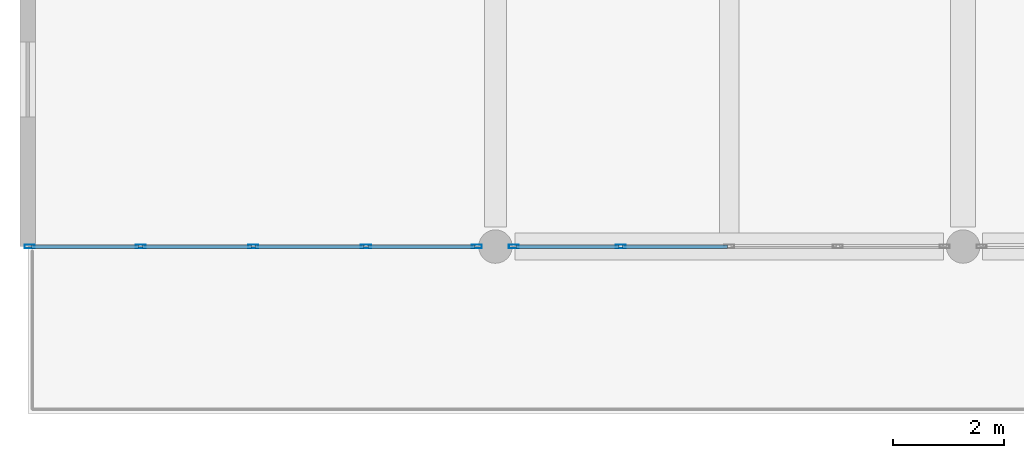
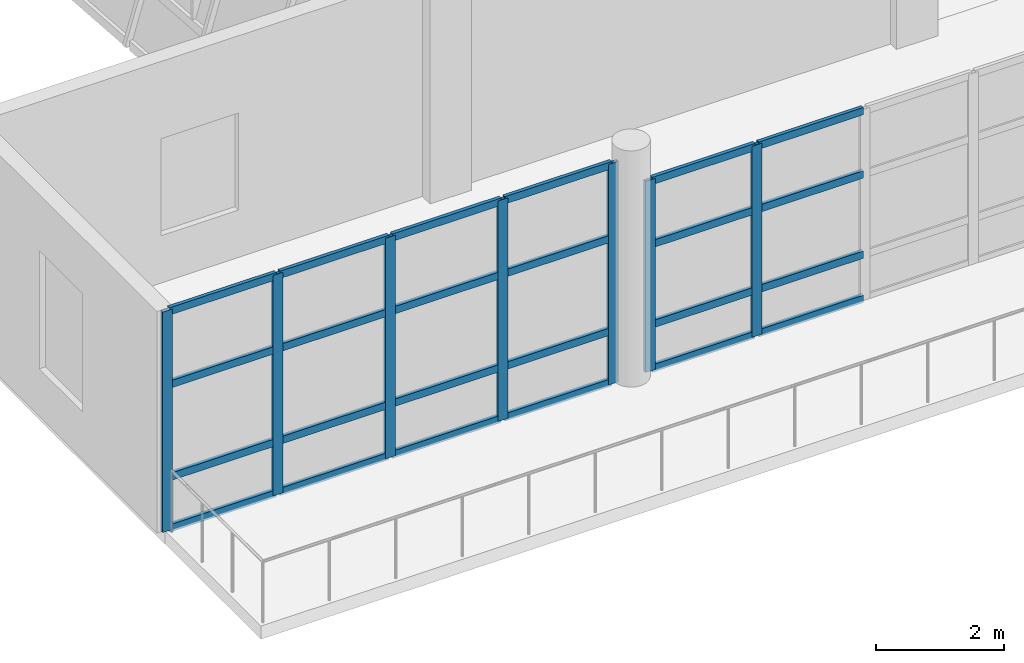
# One storey, part 2 of 71: 31 members, 2 elements without a shape of their own.
"""IFC4 building model written with IfcOpenShell, lengths in metres."""

from ifc_helpers import new_model, si_unit, direction, frame, origin, origin_2d, place, context, subcontext, project, spatial, hollow_rectangle, extrude, material, material_profile, profile_set, type_object, element, aggregate, save


model = new_model("IFC4")

# Units and contexts
model_context = context("Model", 3, precision=1e-05, world=origin(), true_north=direction((0.0, 1.0)))
body_context = subcontext(model_context, "Body", "Model", "MODEL_VIEW")
ifc_project = project(units=[si_unit("LENGTHUNIT", "METRE"), si_unit("AREAUNIT", "SQUARE_METRE"), si_unit("VOLUMEUNIT", "CUBIC_METRE"), si_unit("PLANEANGLEUNIT", "RADIAN"), si_unit("MASSUNIT", "GRAM", prefix="KILO")], contexts=[model_context])

# Site, building, storey
site_placement = place(None, origin())
site = spatial("IfcSite", under=ifc_project, at=site_placement, CompositionType="ELEMENT")
building_placement = place(site_placement, origin())
building = spatial("IfcBuilding", under=site, at=building_placement, Name="Pellamere Symphony Hall", CompositionType="ELEMENT")
storey_placement = place(building_placement, frame((0.0, 0.0, 15.0)))
storey = spatial("IfcBuildingStorey", under=building, at=storey_placement, Name="L03", CompositionType="ELEMENT", Elevation=15.0)

# Curtain wall, members
ifc_material_1 = material(Name="Thermally Broken Anodised Aluminium 6063-T6 Curtain Wall", Category="aluminium")
curtain_wall_type = type_object("IfcCurtainWallType", Name="Curtain Wall CW-02 (Winter-Garden South Concourse Curtain Wall)", PredefinedType="NOTDEFINED", material=ifc_material_1)
curtain_wall_1_placement = place(storey_placement, origin())
curtain_wall_1 = element("IfcCurtainWall", 1, at=curtain_wall_1_placement, inside=storey, type_object=curtain_wall_type, Name="Winter-Garden South Curtain Wall (L03 Bay 1)", PredefinedType="NOTDEFINED")
ifc_material_2 = material(Name="Anodised Architectural Aluminium 6063-T6", Category="aluminium")
ifc_material_profile_1 = material_profile(ifc_material_2, hollow_rectangle(XDim=0.06494140625, YDim=0.179931640625, WallThickness=0.00390625, at=origin_2d()), Name="ALU-M65X180X4")
ifc_profile_set_1 = profile_set([ifc_material_profile_1], Name="Anodised Architectural Aluminium 6063-T6")
member_type_1 = type_object("IfcMemberType", Name="Curtain Wall Mullion ML-02 ALU-M65X180X4", PredefinedType="MULLION", material=ifc_profile_set_1)
member_1_placement = place(storey_placement, frame((42.032470703125, 24.0, 0.0), z_axis=(0.0, 0.0, 1.0), x_axis=(0.0, 1.0, 0.0)))
member_1 = element("IfcMember", 2, at=member_1_placement, type_object=member_type_1, Name="CW2-086 crystal mullion 1", PredefinedType="MULLION", context=body_context, shape_type="SweptSolid", body=[
    extrude(hollow_rectangle(XDim=0.06494140625, YDim=0.179931640625, WallThickness=0.00390625, at=origin_2d()), origin(), (0.0, 0.0, 1.0), 4.199951171875),
])
member_2_placement = place(storey_placement, frame((44.02490234375, 24.0, 0.0), z_axis=(0.0, 0.0, 1.0), x_axis=(0.0, 1.0, 0.0)))
member_2 = element("IfcMember", 3, at=member_2_placement, type_object=member_type_1, Name="CW2-086 crystal mullion 2", PredefinedType="MULLION", context=body_context, shape_type="SweptSolid", body=[
    extrude(hollow_rectangle(XDim=0.06494140625, YDim=0.179931640625, WallThickness=0.00390625, at=origin_2d()), origin(), (0.0, 0.0, 1.0), 4.199951171875),
])
member_3_placement = place(storey_placement, frame((46.050048828125, 24.0, 0.0), z_axis=(0.0, 0.0, 1.0), x_axis=(0.0, 1.0, 0.0)))
member_3 = element("IfcMember", 4, at=member_3_placement, type_object=member_type_1, Name="CW2-086 crystal mullion 3", PredefinedType="MULLION", context=body_context, shape_type="SweptSolid", body=[
    extrude(hollow_rectangle(XDim=0.06494140625, YDim=0.179931640625, WallThickness=0.00390625, at=origin_2d()), origin(), (0.0, 0.0, 1.0), 4.199951171875),
])
member_4_placement = place(storey_placement, frame((48.074951171875, 24.0, 0.0), z_axis=(0.0, 0.0, 1.0), x_axis=(0.0, 1.0, 0.0)))
member_4 = element("IfcMember", 5, at=member_4_placement, type_object=member_type_1, Name="CW2-086 crystal mullion 4", PredefinedType="MULLION", context=body_context, shape_type="SweptSolid", body=[
    extrude(hollow_rectangle(XDim=0.06494140625, YDim=0.179931640625, WallThickness=0.00390625, at=origin_2d()), origin(), (0.0, 0.0, 1.0), 4.199951171875),
])
member_5_placement = place(storey_placement, frame((50.0673828125, 24.0, 0.0), z_axis=(0.0, 0.0, 1.0), x_axis=(0.0, 1.0, 0.0)))
member_5 = element("IfcMember", 6, at=member_5_placement, type_object=member_type_1, Name="CW2-086 crystal mullion 5", PredefinedType="MULLION", context=body_context, shape_type="SweptSolid", body=[
    extrude(hollow_rectangle(XDim=0.06494140625, YDim=0.179931640625, WallThickness=0.00390625, at=origin_2d()), origin(), (0.0, 0.0, 1.0), 4.199951171875),
])

curtain_wall_2_placement = place(storey_placement, origin())
curtain_wall_2 = element("IfcCurtainWall", 7, at=curtain_wall_2_placement, inside=storey, type_object=curtain_wall_type, Name="Winter-Garden South Curtain Wall (L03 Bay 2)", PredefinedType="NOTDEFINED")
member_6_placement = place(storey_placement, frame((50.732421875, 24.0, 0.0), z_axis=(0.0, 0.0, 1.0), x_axis=(0.0, 1.0, 0.0)))
member_6 = element("IfcMember", 8, at=member_6_placement, type_object=member_type_1, Name="CW2-087 crystal mullion 1", PredefinedType="MULLION", context=body_context, shape_type="SweptSolid", body=[
    extrude(hollow_rectangle(XDim=0.06494140625, YDim=0.179931640625, WallThickness=0.00390625, at=origin_2d()), origin(), (0.0, 0.0, 1.0), 3.639892578125),
])
member_7_placement = place(storey_placement, frame((52.64990234375, 24.0, 0.0), z_axis=(0.0, 0.0, 1.0), x_axis=(0.0, 1.0, 0.0)))
member_7 = element("IfcMember", 9, at=member_7_placement, type_object=member_type_1, Name="CW2-087 crystal mullion 2", PredefinedType="MULLION", context=body_context, shape_type="SweptSolid", body=[
    extrude(hollow_rectangle(XDim=0.06494140625, YDim=0.179931640625, WallThickness=0.00390625, at=origin_2d()), origin(), (0.0, 0.0, 1.0), 3.639892578125),
])

# Member
ifc_material_profile_2 = material_profile(ifc_material_2, hollow_rectangle(XDim=0.06494140625, YDim=0.139892578125, WallThickness=0.00390625, at=origin_2d()), Name="ALU-T65X140X4")
ifc_profile_set_2 = profile_set([ifc_material_profile_2], Name="Anodised Architectural Aluminium 6063-T6")
member_type_2 = type_object("IfcMemberType", Name="Curtain Wall Transom TR-02 ALU-T65X140X4", PredefinedType="USERDEFINED", material=ifc_profile_set_2)
member_8_placement = place(storey_placement, frame((42.06494140625, 24.0, 0.032470703125), z_axis=(1.0, 0.0, 0.0), x_axis=(0.0, 1.0, 0.0)))
member_8 = element("IfcMember", 10, at=member_8_placement, type_object=member_type_2, Name="CW2-086 crystal transom 1.1", ObjectType="TRANSOM", PredefinedType="USERDEFINED", context=body_context, shape_type="SweptSolid", body=[
    extrude(hollow_rectangle(XDim=0.06494140625, YDim=0.139892578125, WallThickness=0.00390625, at=origin_2d()), origin(), (0.0, 0.0, 1.0), 1.927490234375),
])

member_9_placement = place(storey_placement, frame((42.06494140625, 24.0, 1.008056640625), z_axis=(1.0, 0.0, 0.0), x_axis=(0.0, 1.0, 0.0)))
member_9 = element("IfcMember", 11, at=member_9_placement, type_object=member_type_2, Name="CW2-086 crystal transom 1.2", ObjectType="TRANSOM", PredefinedType="USERDEFINED", context=body_context, shape_type="SweptSolid", body=[
    extrude(hollow_rectangle(XDim=0.06494140625, YDim=0.139892578125, WallThickness=0.00390625, at=origin_2d()), origin(), (0.0, 0.0, 1.0), 1.927490234375),
])

member_10_placement = place(storey_placement, frame((42.06494140625, 24.0, 2.77197265625), z_axis=(1.0, 0.0, 0.0), x_axis=(0.0, 1.0, 0.0)))
member_10 = element("IfcMember", 12, at=member_10_placement, type_object=member_type_2, Name="CW2-086 crystal transom 1.3", ObjectType="TRANSOM", PredefinedType="USERDEFINED", context=body_context, shape_type="SweptSolid", body=[
    extrude(hollow_rectangle(XDim=0.06494140625, YDim=0.139892578125, WallThickness=0.00390625, at=origin_2d()), origin(), (0.0, 0.0, 1.0), 1.927490234375),
])

member_11_placement = place(storey_placement, frame((42.06494140625, 24.0, 4.16748046875), z_axis=(1.0, 0.0, 0.0), x_axis=(0.0, 1.0, 0.0)))
member_11 = element("IfcMember", 13, at=member_11_placement, type_object=member_type_2, Name="CW2-086 crystal transom 1.4", ObjectType="TRANSOM", PredefinedType="USERDEFINED", context=body_context, shape_type="SweptSolid", body=[
    extrude(hollow_rectangle(XDim=0.06494140625, YDim=0.139892578125, WallThickness=0.00390625, at=origin_2d()), origin(), (0.0, 0.0, 1.0), 1.927490234375),
])

member_12_placement = place(storey_placement, frame((44.0576171875, 24.0, 0.032470703125), z_axis=(1.0, 0.0, 0.0), x_axis=(0.0, 1.0, 0.0)))
member_12 = element("IfcMember", 14, at=member_12_placement, type_object=member_type_2, Name="CW2-086 crystal transom 2.1", ObjectType="TRANSOM", PredefinedType="USERDEFINED", context=body_context, shape_type="SweptSolid", body=[
    extrude(hollow_rectangle(XDim=0.06494140625, YDim=0.139892578125, WallThickness=0.00390625, at=origin_2d()), origin(), (0.0, 0.0, 1.0), 1.9599609375),
])

member_13_placement = place(storey_placement, frame((44.0576171875, 24.0, 1.008056640625), z_axis=(1.0, 0.0, 0.0), x_axis=(0.0, 1.0, 0.0)))
member_13 = element("IfcMember", 15, at=member_13_placement, type_object=member_type_2, Name="CW2-086 crystal transom 2.2", ObjectType="TRANSOM", PredefinedType="USERDEFINED", context=body_context, shape_type="SweptSolid", body=[
    extrude(hollow_rectangle(XDim=0.06494140625, YDim=0.139892578125, WallThickness=0.00390625, at=origin_2d()), origin(), (0.0, 0.0, 1.0), 1.9599609375),
])

member_14_placement = place(storey_placement, frame((44.0576171875, 24.0, 2.77197265625), z_axis=(1.0, 0.0, 0.0), x_axis=(0.0, 1.0, 0.0)))
member_14 = element("IfcMember", 16, at=member_14_placement, type_object=member_type_2, Name="CW2-086 crystal transom 2.3", ObjectType="TRANSOM", PredefinedType="USERDEFINED", context=body_context, shape_type="SweptSolid", body=[
    extrude(hollow_rectangle(XDim=0.06494140625, YDim=0.139892578125, WallThickness=0.00390625, at=origin_2d()), origin(), (0.0, 0.0, 1.0), 1.9599609375),
])

member_15_placement = place(storey_placement, frame((44.0576171875, 24.0, 4.16748046875), z_axis=(1.0, 0.0, 0.0), x_axis=(0.0, 1.0, 0.0)))
member_15 = element("IfcMember", 17, at=member_15_placement, type_object=member_type_2, Name="CW2-086 crystal transom 2.4", ObjectType="TRANSOM", PredefinedType="USERDEFINED", context=body_context, shape_type="SweptSolid", body=[
    extrude(hollow_rectangle(XDim=0.06494140625, YDim=0.139892578125, WallThickness=0.00390625, at=origin_2d()), origin(), (0.0, 0.0, 1.0), 1.9599609375),
])

member_16_placement = place(storey_placement, frame((46.08251953125, 24.0, 0.032470703125), z_axis=(1.0, 0.0, 0.0), x_axis=(0.0, 1.0, 0.0)))
member_16 = element("IfcMember", 18, at=member_16_placement, type_object=member_type_2, Name="CW2-086 crystal transom 3.1", ObjectType="TRANSOM", PredefinedType="USERDEFINED", context=body_context, shape_type="SweptSolid", body=[
    extrude(hollow_rectangle(XDim=0.06494140625, YDim=0.139892578125, WallThickness=0.00390625, at=origin_2d()), origin(), (0.0, 0.0, 1.0), 1.9599609375),
])

member_17_placement = place(storey_placement, frame((46.08251953125, 24.0, 1.008056640625), z_axis=(1.0, 0.0, 0.0), x_axis=(0.0, 1.0, 0.0)))
member_17 = element("IfcMember", 19, at=member_17_placement, type_object=member_type_2, Name="CW2-086 crystal transom 3.2", ObjectType="TRANSOM", PredefinedType="USERDEFINED", context=body_context, shape_type="SweptSolid", body=[
    extrude(hollow_rectangle(XDim=0.06494140625, YDim=0.139892578125, WallThickness=0.00390625, at=origin_2d()), origin(), (0.0, 0.0, 1.0), 1.9599609375),
])

member_18_placement = place(storey_placement, frame((46.08251953125, 24.0, 2.77197265625), z_axis=(1.0, 0.0, 0.0), x_axis=(0.0, 1.0, 0.0)))
member_18 = element("IfcMember", 20, at=member_18_placement, type_object=member_type_2, Name="CW2-086 crystal transom 3.3", ObjectType="TRANSOM", PredefinedType="USERDEFINED", context=body_context, shape_type="SweptSolid", body=[
    extrude(hollow_rectangle(XDim=0.06494140625, YDim=0.139892578125, WallThickness=0.00390625, at=origin_2d()), origin(), (0.0, 0.0, 1.0), 1.9599609375),
])

member_19_placement = place(storey_placement, frame((46.08251953125, 24.0, 4.16748046875), z_axis=(1.0, 0.0, 0.0), x_axis=(0.0, 1.0, 0.0)))
member_19 = element("IfcMember", 21, at=member_19_placement, type_object=member_type_2, Name="CW2-086 crystal transom 3.4", ObjectType="TRANSOM", PredefinedType="USERDEFINED", context=body_context, shape_type="SweptSolid", body=[
    extrude(hollow_rectangle(XDim=0.06494140625, YDim=0.139892578125, WallThickness=0.00390625, at=origin_2d()), origin(), (0.0, 0.0, 1.0), 1.9599609375),
])

member_20_placement = place(storey_placement, frame((48.107421875, 24.0, 0.032470703125), z_axis=(1.0, 0.0, 0.0), x_axis=(0.0, 1.0, 0.0)))
member_20 = element("IfcMember", 22, at=member_20_placement, type_object=member_type_2, Name="CW2-086 crystal transom 4.1", ObjectType="TRANSOM", PredefinedType="USERDEFINED", context=body_context, shape_type="SweptSolid", body=[
    extrude(hollow_rectangle(XDim=0.06494140625, YDim=0.139892578125, WallThickness=0.00390625, at=origin_2d()), origin(), (0.0, 0.0, 1.0), 1.927490234375),
])

member_21_placement = place(storey_placement, frame((48.107421875, 24.0, 1.008056640625), z_axis=(1.0, 0.0, 0.0), x_axis=(0.0, 1.0, 0.0)))
member_21 = element("IfcMember", 23, at=member_21_placement, type_object=member_type_2, Name="CW2-086 crystal transom 4.2", ObjectType="TRANSOM", PredefinedType="USERDEFINED", context=body_context, shape_type="SweptSolid", body=[
    extrude(hollow_rectangle(XDim=0.06494140625, YDim=0.139892578125, WallThickness=0.00390625, at=origin_2d()), origin(), (0.0, 0.0, 1.0), 1.927490234375),
])

member_22_placement = place(storey_placement, frame((48.107421875, 24.0, 2.77197265625), z_axis=(1.0, 0.0, 0.0), x_axis=(0.0, 1.0, 0.0)))
member_22 = element("IfcMember", 24, at=member_22_placement, type_object=member_type_2, Name="CW2-086 crystal transom 4.3", ObjectType="TRANSOM", PredefinedType="USERDEFINED", context=body_context, shape_type="SweptSolid", body=[
    extrude(hollow_rectangle(XDim=0.06494140625, YDim=0.139892578125, WallThickness=0.00390625, at=origin_2d()), origin(), (0.0, 0.0, 1.0), 1.927490234375),
])

member_23_placement = place(storey_placement, frame((48.107421875, 24.0, 4.16748046875), z_axis=(1.0, 0.0, 0.0), x_axis=(0.0, 1.0, 0.0)))
member_23 = element("IfcMember", 25, at=member_23_placement, type_object=member_type_2, Name="CW2-086 crystal transom 4.4", ObjectType="TRANSOM", PredefinedType="USERDEFINED", context=body_context, shape_type="SweptSolid", body=[
    extrude(hollow_rectangle(XDim=0.06494140625, YDim=0.139892578125, WallThickness=0.00390625, at=origin_2d()), origin(), (0.0, 0.0, 1.0), 1.927490234375),
])

aggregate(curtain_wall_1, [member_1, member_2, member_3, member_4, member_5, member_8, member_9, member_10, member_11, member_12, member_13, member_14, member_15, member_16, member_17, member_18, member_19, member_20, member_21, member_22, member_23])

member_24_placement = place(storey_placement, frame((50.764892578125, 24.0, 0.032470703125), z_axis=(1.0, 0.0, 0.0), x_axis=(0.0, 1.0, 0.0)))
member_24 = element("IfcMember", 26, at=member_24_placement, type_object=member_type_2, Name="CW2-087 crystal transom 1.1", ObjectType="TRANSOM", PredefinedType="USERDEFINED", context=body_context, shape_type="SweptSolid", body=[
    extrude(hollow_rectangle(XDim=0.06494140625, YDim=0.139892578125, WallThickness=0.00390625, at=origin_2d()), origin(), (0.0, 0.0, 1.0), 1.8525390625),
])

member_25_placement = place(storey_placement, frame((50.764892578125, 24.0, 0.87353515625), z_axis=(1.0, 0.0, 0.0), x_axis=(0.0, 1.0, 0.0)))
member_25 = element("IfcMember", 27, at=member_25_placement, type_object=member_type_2, Name="CW2-087 crystal transom 1.2", ObjectType="TRANSOM", PredefinedType="USERDEFINED", context=body_context, shape_type="SweptSolid", body=[
    extrude(hollow_rectangle(XDim=0.06494140625, YDim=0.139892578125, WallThickness=0.00390625, at=origin_2d()), origin(), (0.0, 0.0, 1.0), 1.8525390625),
])

member_26_placement = place(storey_placement, frame((50.764892578125, 24.0, 2.40234375), z_axis=(1.0, 0.0, 0.0), x_axis=(0.0, 1.0, 0.0)))
member_26 = element("IfcMember", 28, at=member_26_placement, type_object=member_type_2, Name="CW2-087 crystal transom 1.3", ObjectType="TRANSOM", PredefinedType="USERDEFINED", context=body_context, shape_type="SweptSolid", body=[
    extrude(hollow_rectangle(XDim=0.06494140625, YDim=0.139892578125, WallThickness=0.00390625, at=origin_2d()), origin(), (0.0, 0.0, 1.0), 1.8525390625),
])

member_27_placement = place(storey_placement, frame((50.764892578125, 24.0, 3.607421875), z_axis=(1.0, 0.0, 0.0), x_axis=(0.0, 1.0, 0.0)))
member_27 = element("IfcMember", 29, at=member_27_placement, type_object=member_type_2, Name="CW2-087 crystal transom 1.4", ObjectType="TRANSOM", PredefinedType="USERDEFINED", context=body_context, shape_type="SweptSolid", body=[
    extrude(hollow_rectangle(XDim=0.06494140625, YDim=0.139892578125, WallThickness=0.00390625, at=origin_2d()), origin(), (0.0, 0.0, 1.0), 1.8525390625),
])

member_28_placement = place(storey_placement, frame((52.6826171875, 24.0, 0.032470703125), z_axis=(1.0, 0.0, 0.0), x_axis=(0.0, 1.0, 0.0)))
member_28 = element("IfcMember", 30, at=member_28_placement, type_object=member_type_2, Name="CW2-087 crystal transom 2.1", ObjectType="TRANSOM", PredefinedType="USERDEFINED", context=body_context, shape_type="SweptSolid", body=[
    extrude(hollow_rectangle(XDim=0.06494140625, YDim=0.139892578125, WallThickness=0.00390625, at=origin_2d()), origin(), (0.0, 0.0, 1.0), 1.884765625),
])

member_29_placement = place(storey_placement, frame((52.6826171875, 24.0, 0.87353515625), z_axis=(1.0, 0.0, 0.0), x_axis=(0.0, 1.0, 0.0)))
member_29 = element("IfcMember", 31, at=member_29_placement, type_object=member_type_2, Name="CW2-087 crystal transom 2.2", ObjectType="TRANSOM", PredefinedType="USERDEFINED", context=body_context, shape_type="SweptSolid", body=[
    extrude(hollow_rectangle(XDim=0.06494140625, YDim=0.139892578125, WallThickness=0.00390625, at=origin_2d()), origin(), (0.0, 0.0, 1.0), 1.884765625),
])

member_30_placement = place(storey_placement, frame((52.6826171875, 24.0, 2.40234375), z_axis=(1.0, 0.0, 0.0), x_axis=(0.0, 1.0, 0.0)))
member_30 = element("IfcMember", 32, at=member_30_placement, type_object=member_type_2, Name="CW2-087 crystal transom 2.3", ObjectType="TRANSOM", PredefinedType="USERDEFINED", context=body_context, shape_type="SweptSolid", body=[
    extrude(hollow_rectangle(XDim=0.06494140625, YDim=0.139892578125, WallThickness=0.00390625, at=origin_2d()), origin(), (0.0, 0.0, 1.0), 1.884765625),
])

member_31_placement = place(storey_placement, frame((52.6826171875, 24.0, 3.607421875), z_axis=(1.0, 0.0, 0.0), x_axis=(0.0, 1.0, 0.0)))
member_31 = element("IfcMember", 33, at=member_31_placement, type_object=member_type_2, Name="CW2-087 crystal transom 2.4", ObjectType="TRANSOM", PredefinedType="USERDEFINED", context=body_context, shape_type="SweptSolid", body=[
    extrude(hollow_rectangle(XDim=0.06494140625, YDim=0.139892578125, WallThickness=0.00390625, at=origin_2d()), origin(), (0.0, 0.0, 1.0), 1.884765625),
])

aggregate(curtain_wall_2, [member_6, member_7, member_24, member_25, member_26, member_27, member_28, member_29, member_30, member_31])

save(model, "model.ifc")
